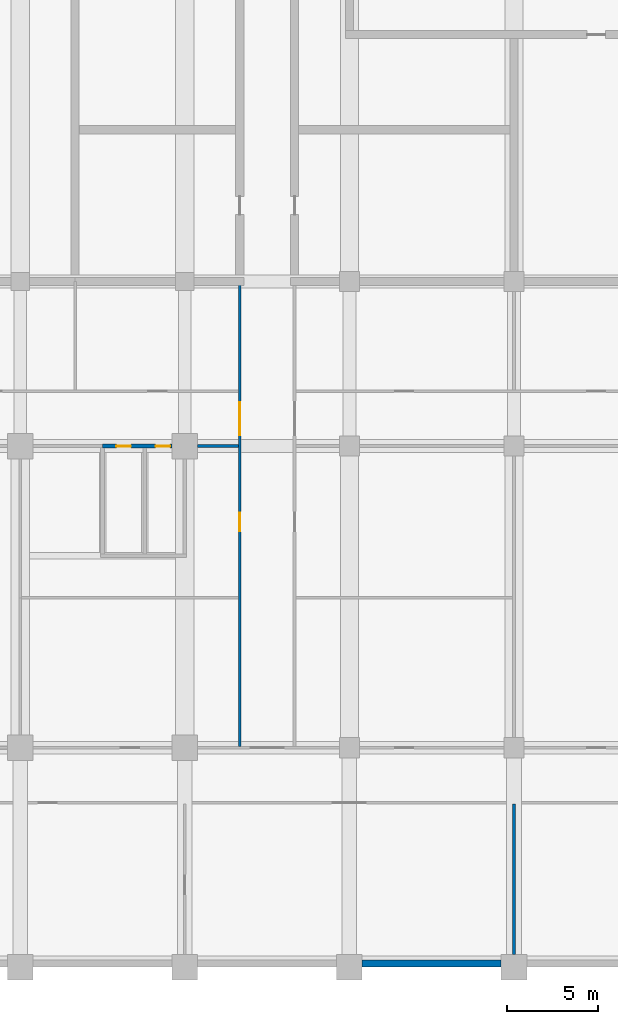
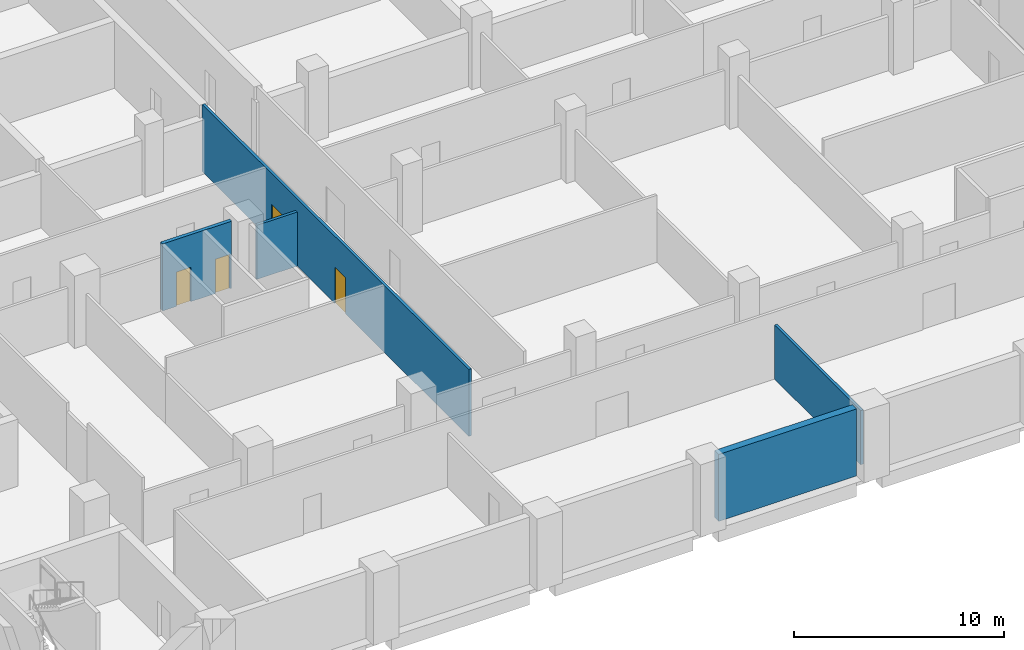
# One storey, part 5 of 16: 5 walls, 4 doors, 4 openings.
"""IFC4 building model written with IfcOpenShell, lengths in metres."""

from ifc_helpers import new_model, si_unit, direction, frame, frame_2d, origin, place, context, subcontext, project, spatial, rectangle, extrude, material, layer, layer_set, type_object, element, fill, save


model = new_model("IFC4")

# Units and contexts
model_context = context("Model", 3, precision=1e-05, world=origin(), true_north=direction((0.0, 1.0)))
body_context = subcontext(model_context, "Body", "Model", "MODEL_VIEW")
ifc_project = project(units=[si_unit("LENGTHUNIT", "METRE"), si_unit("AREAUNIT", "SQUARE_METRE"), si_unit("VOLUMEUNIT", "CUBIC_METRE"), si_unit("PLANEANGLEUNIT", "RADIAN"), si_unit("MASSUNIT", "GRAM", prefix="KILO")], contexts=[model_context])

# Site, building, storey
site_placement = place(None, origin())
site = spatial("IfcSite", under=ifc_project, at=site_placement, CompositionType="ELEMENT")
building_placement = place(site_placement, origin())
building = spatial("IfcBuilding", under=site, at=building_placement, Name="Aurelan Courthouse", CompositionType="ELEMENT")
storey_placement = place(building_placement, frame((0.0, 0.0, -4.199951171875)))
storey = spatial("IfcBuildingStorey", under=building, at=storey_placement, Name="B1", CompositionType="ELEMENT", Elevation=-4.199951171875)

# Wall
ifc_material_1 = material(Name="Gypsum board on metal studs")
ifc_layer_1 = layer(ifc_material_1, 0.14990234375)
ifc_layer_set_1 = layer_set([ifc_layer_1], Name="Gypsum board on metal studs")
wall_type_1 = type_object("IfcWallType", Name="Corridor partition 150 EI 60", PredefinedType="PARTITIONING", material=ifc_layer_set_1)
wall_1_placement = place(storey_placement, frame((27.699951171875, 28.5, 0.0), z_axis=(0.0, 0.0, 1.0), x_axis=(1.0, 0.0, 0.0)))
element("IfcWall", 1, at=wall_1_placement, inside=storey, type_object=wall_type_1, Name="Corridor partition B1-024", PredefinedType="PARTITIONING", context=body_context, shape_type="SweptSolid", body=[
    extrude(rectangle(XDim=2.22509765625, YDim=0.14990234375, at=frame_2d((1.112548828125, 0.0))), origin(), (0.0, 0.0, 1.0), 3.14990234375),
])

# Wall, openings, doors
wall_2_placement = place(storey_placement, frame((30.0, 12.074951171875, 0.0), z_axis=(0.0, 0.0, 1.0), x_axis=(0.0, 1.0, 0.0)))
wall_2 = element("IfcWall", 2, at=wall_2_placement, inside=storey, type_object=wall_type_1, Name="Corridor partition B1-110", PredefinedType="PARTITIONING", context=body_context, shape_type="SweptSolid", body=[
    extrude(rectangle(XDim=25.425048828125, YDim=0.14990234375, at=frame_2d((12.71240234375, 0.0))), origin(), (0.0, 0.0, 1.0), 3.89990234375),
])
opening_1_placement = place(wall_2_placement, frame((18.824951171875, 0.0, 0.0), z_axis=(0.0, 0.0, 1.0), x_axis=(-1.0, 0.0, 0.0)))
opening_1 = element("IfcOpeningElement", 3, at=opening_1_placement, cuts=wall_2, Name="Opening D-B1-006", PredefinedType="OPENING", context=body_context, shape_type="SweptSolid", body=[
    extrude(rectangle(XDim=1.800048828125, YDim=2.10009765625, at=frame_2d((0.89990234375, 1.050048828125))), frame((0.0, 0.0849609375, 0.0), z_axis=(0.0, -1.0, 0.0), x_axis=(1.0, 0.0, 0.0)), (0.0, 0.0, 1.0), 0.169921875),
])
opening_2_placement = place(wall_2_placement, frame((11.77490234375, 0.0, 0.0)))
opening_2 = element("IfcOpeningElement", 4, at=opening_2_placement, cuts=wall_2, Name="Opening D-B1-049", PredefinedType="OPENING", context=body_context, shape_type="SweptSolid", body=[
    extrude(rectangle(XDim=1.0, YDim=2.10009765625, at=frame_2d((0.5, 1.050048828125))), frame((0.0, 0.0849609375, 0.0), z_axis=(0.0, -1.0, 0.0), x_axis=(1.0, 0.0, 0.0)), (0.0, 0.0, 1.0), 0.169921875),
])
ifc_material_2 = material(Name="Steel", Category="steel")
door_type_1 = type_object("IfcDoorType", Name="Double door 1800 x 2100 FD60", OperationType="DOUBLE_DOOR_SINGLE_SWING", PredefinedType="DOOR", material=ifc_material_2)
door_1_placement = place(opening_1_placement, origin())
door_1 = element("IfcDoor", 5, at=door_1_placement, inside=storey, type_object=door_type_1, Name="Double door D-B1-006", OperationType="DOUBLE_DOOR_SINGLE_SWING", OverallHeight=2.10009765625, OverallWidth=1.800048828125, PredefinedType="DOOR", context=body_context, shape_type="SweptSolid", body=[
    extrude(rectangle(XDim=1.800048828125, YDim=2.10009765625, at=frame_2d((0.89990234375, 1.050048828125))), frame((0.0, 0.02490234375, 0.0), z_axis=(0.0, -1.0, 0.0), x_axis=(1.0, 0.0, 0.0)), (0.0, 0.0, 1.0), 0.050048828125),
])
fill(opening_1, door_1)
door_type_2 = type_object("IfcDoorType", Name="Single door 1000 x 2100 FD60", OperationType="SINGLE_SWING_LEFT", PredefinedType="DOOR", material=ifc_material_2)
door_2_placement = place(opening_2_placement, origin())
door_2 = element("IfcDoor", 6, at=door_2_placement, inside=storey, type_object=door_type_2, Name="Single door D-B1-049", OperationType="SINGLE_SWING_RIGHT", OverallHeight=2.10009765625, OverallWidth=1.0, PredefinedType="DOOR", context=body_context, shape_type="SweptSolid", body=[
    extrude(rectangle(XDim=1.0, YDim=2.10009765625, at=frame_2d((0.5, 1.050048828125))), frame((0.0, 0.02490234375, 0.0), z_axis=(0.0, -1.0, 0.0), x_axis=(1.0, 0.0, 0.0)), (0.0, 0.0, 1.0), 0.050048828125),
])
fill(opening_2, door_2)

# Walls
ifc_layer_2 = layer(ifc_material_1, 0.14990234375)
ifc_layer_set_2 = layer_set([ifc_layer_2], Name="Gypsum board on metal studs")
wall_type_2 = type_object("IfcWallType", Name="Partition 150 NOT RATED", PredefinedType="PARTITIONING", material=ifc_layer_set_2)
wall_3_placement = place(storey_placement, frame((45.0, 0.699951171875, 0.0), z_axis=(0.0, 0.0, 1.0), x_axis=(0.0, 1.0, 0.0)))
element("IfcWall", 7, at=wall_3_placement, inside=storey, type_object=wall_type_2, Name="Partition B1-118", PredefinedType="PARTITIONING", context=body_context, shape_type="SweptSolid", body=[
    extrude(rectangle(XDim=8.22509765625, YDim=0.14990234375, at=frame_2d((4.112548828125, 0.0))), origin(), (0.0, 0.0, 1.0), 3.14990234375),
])
ifc_material_3 = material(Name="Concrete C50", Category="concrete")
ifc_layer_3 = layer(ifc_material_3, 0.39990234375)
ifc_layer_set_3 = layer_set([ifc_layer_3], Name="Concrete C50")
wall_type_3 = type_object("IfcWallType", Name="RC retaining wall 400", PredefinedType="SOLIDWALL", material=ifc_layer_set_3)
wall_4_placement = place(storey_placement, frame((36.699951171875, 0.199951171875, 0.0), z_axis=(0.0, 0.0, 1.0), x_axis=(1.0, 0.0, 0.0)))
element("IfcWall", 8, at=wall_4_placement, inside=storey, type_object=wall_type_3, Name="Retaining wall SW-B1-005", PredefinedType="SOLIDWALL", context=body_context, shape_type="SweptSolid", body=[
    extrude(rectangle(XDim=7.60009765625, YDim=0.39990234375, at=frame_2d((3.800048828125, 0.0))), origin(), (0.0, 0.0, 1.0), 3.89990234375),
])

# Wall, openings, doors
ifc_material_4 = material(Name="Concrete C30", Category="concrete")
ifc_layer_4 = layer(ifc_material_4, 0.199951171875)
ifc_layer_set_4 = layer_set([ifc_layer_4], Name="Concrete C30")
wall_type_4 = type_object("IfcWallType", Name="Shaft wall 200 EI 120 load-bearing", PredefinedType="SHEAR", material=ifc_layer_set_4)
wall_5_placement = place(storey_placement, frame((22.5, 28.5, 0.0), z_axis=(0.0, 0.0, 1.0), x_axis=(1.0, 0.0, 0.0)))
wall_5 = element("IfcWall", 9, at=wall_5_placement, inside=storey, type_object=wall_type_4, Name="Shaft wall B1-023", PredefinedType="SHEAR", context=body_context, shape_type="SweptSolid", body=[
    extrude(rectangle(XDim=3.800048828125, YDim=0.199951171875, at=frame_2d((1.89990234375, 0.0))), origin(), (0.0, 0.0, 1.0), 3.89990234375),
])
opening_3_placement = place(wall_5_placement, frame((1.550048828125, 0.0, 0.0), z_axis=(0.0, 0.0, 1.0), x_axis=(-1.0, 0.0, 0.0)))
opening_3 = element("IfcOpeningElement", 10, at=opening_3_placement, cuts=wall_5, Name="Opening D-B1-064", PredefinedType="OPENING", context=body_context, shape_type="SweptSolid", body=[
    extrude(rectangle(XDim=0.800048828125, YDim=2.0, at=frame_2d((0.39990234375, 1.0))), frame((0.0, 0.10986328125, 0.0), z_axis=(0.0, -1.0, 0.0), x_axis=(1.0, 0.0, 0.0)), (0.0, 0.0, 1.0), 0.219970703125),
])
opening_4_placement = place(wall_5_placement, frame((3.699951171875, 0.0, 0.0), z_axis=(0.0, 0.0, 1.0), x_axis=(-1.0, 0.0, 0.0)))
opening_4 = element("IfcOpeningElement", 11, at=opening_4_placement, cuts=wall_5, Name="Opening D-B1-065", PredefinedType="OPENING", context=body_context, shape_type="SweptSolid", body=[
    extrude(rectangle(XDim=0.800048828125, YDim=2.0, at=frame_2d((0.39990234375, 1.0))), frame((0.0, 0.10986328125, 0.0), z_axis=(0.0, -1.0, 0.0), x_axis=(1.0, 0.0, 0.0)), (0.0, 0.0, 1.0), 0.219970703125),
])
door_type_3 = type_object("IfcDoorType", Name="Single door 800 x 2000 FD90", OperationType="SINGLE_SWING_LEFT", PredefinedType="DOOR", material=ifc_material_2)
door_3_placement = place(opening_3_placement, origin())
door_3 = element("IfcDoor", 12, at=door_3_placement, inside=storey, type_object=door_type_3, Name="Single door D-B1-064", OperationType="SINGLE_SWING_RIGHT", OverallHeight=2.0, OverallWidth=0.800048828125, PredefinedType="DOOR", context=body_context, shape_type="SweptSolid", body=[
    extrude(rectangle(XDim=0.800048828125, YDim=2.0, at=frame_2d((0.39990234375, 1.0))), frame((0.0, 0.02490234375, 0.0), z_axis=(0.0, -1.0, 0.0), x_axis=(1.0, 0.0, 0.0)), (0.0, 0.0, 1.0), 0.050048828125),
])
fill(opening_3, door_3)
door_4_placement = place(opening_4_placement, origin())
door_4 = element("IfcDoor", 13, at=door_4_placement, inside=storey, type_object=door_type_3, Name="Single door D-B1-065", OperationType="SINGLE_SWING_RIGHT", OverallHeight=2.0, OverallWidth=0.800048828125, PredefinedType="DOOR", context=body_context, shape_type="SweptSolid", body=[
    extrude(rectangle(XDim=0.800048828125, YDim=2.0, at=frame_2d((0.39990234375, 1.0))), frame((0.0, 0.02490234375, 0.0), z_axis=(0.0, -1.0, 0.0), x_axis=(1.0, 0.0, 0.0)), (0.0, 0.0, 1.0), 0.050048828125),
])
fill(opening_4, door_4)

save(model, "model.ifc")
